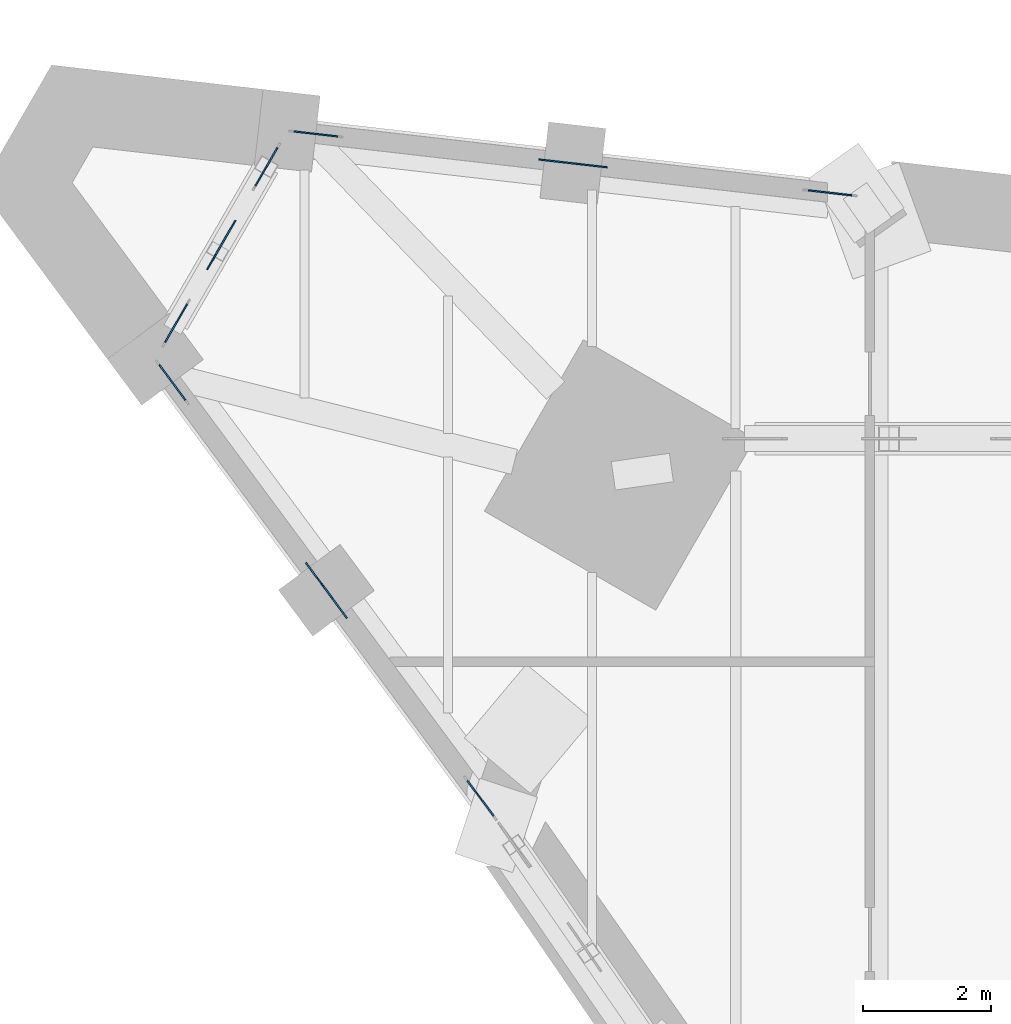
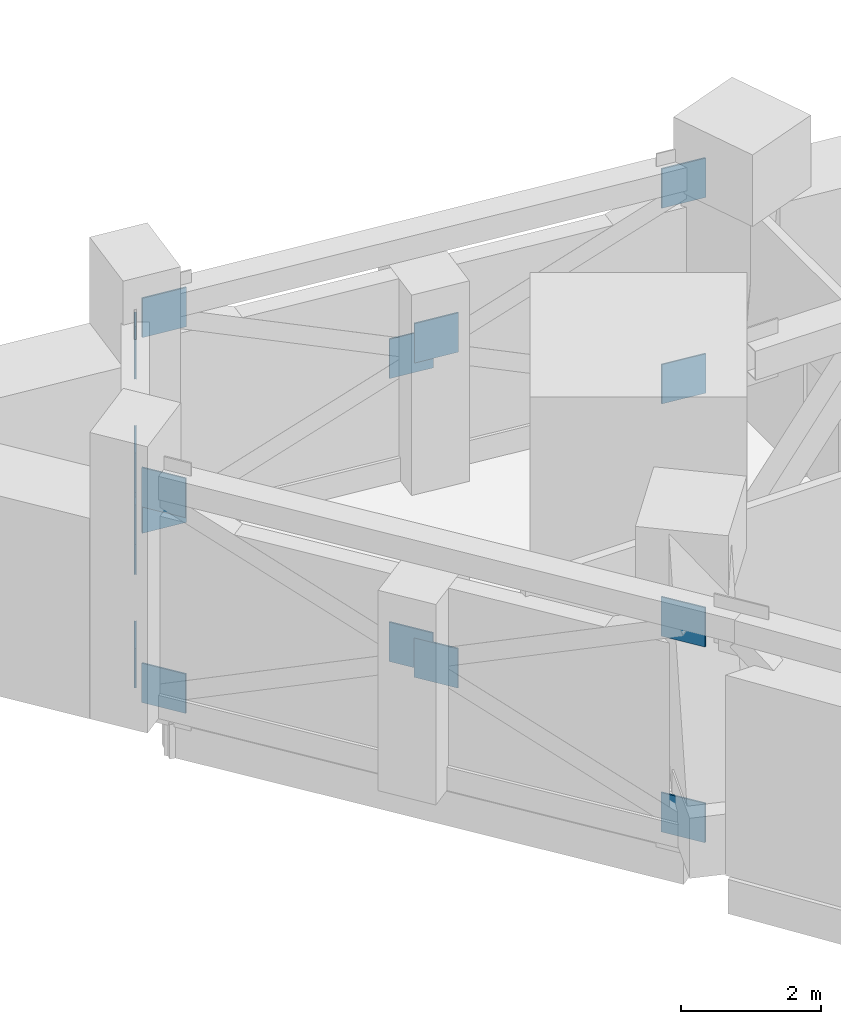
# One storey, part 19 of 22: 18 discrete accessories.
"""IFC4 building model written with IfcOpenShell, lengths in metres."""

from ifc_helpers import new_model, si_unit, direction, frame, origin, origin_2d, place, context, subcontext, project, spatial, rectangle, extrude, material, type_object, element, save


model = new_model("IFC4")

# Units and contexts
model_context = context("Model", 3, precision=1e-05, world=origin(), true_north=direction((0.0, 1.0)))
body_context = subcontext(model_context, "Body", "Model", "MODEL_VIEW")
ifc_project = project(units=[si_unit("LENGTHUNIT", "METRE"), si_unit("AREAUNIT", "SQUARE_METRE"), si_unit("VOLUMEUNIT", "CUBIC_METRE"), si_unit("PLANEANGLEUNIT", "RADIAN"), si_unit("MASSUNIT", "GRAM", prefix="KILO")], contexts=[model_context])

# Site, building, storey
site_placement = place(None, origin())
site = spatial("IfcSite", under=ifc_project, at=site_placement, CompositionType="ELEMENT")
building_placement = place(site_placement, origin())
building = spatial("IfcBuilding", under=site, at=building_placement, Name="Calabash Gate Tower", CompositionType="ELEMENT")
storey_placement = place(building_placement, frame((0.0, 0.0, 86.800048828125)))
storey = spatial("IfcBuildingStorey", under=building, at=storey_placement, Name="L18", CompositionType="ELEMENT", Elevation=86.800048828125)

# Discrete accessories
ifc_material = material(Name="Steel ASTM A572 Gr50", Category="steel")
discrete_accessory_type = type_object("IfcDiscreteAccessoryType", Name="Connection plate 25", PredefinedType="BRACKET", material=ifc_material)
for number, where, z_axis, x_axis, name in (
    (1, (-21.024169921875, 19.4892578125, 0.0625), (0.0, 0.0, 1.0), (-0.993506321721, 0.113776925164, 0.0), "Connection plate Belt diagonal L18 93 start"),
    (2, (-29.07177734375, 20.410888671875, 3.4794921875), (0.0, 0.0, 1.0), (-0.993506321721, 0.113776925164, 0.0), "Connection plate Belt diagonal L18 93 end"),
    (3, (-21.024169921875, 19.4892578125, 3.4794921875), (0.0, 0.0, 1.0), (-0.993506321721, 0.113776925164, 0.0), "Connection plate Belt diagonal (split) L18 94 half 1 of 2 start"),
    (4, (-24.853271484375, 19.927734375, 1.85400390625), (0.0, 0.0, 1.0), (-0.993506321721, 0.113776925164, 0.0), "Connection plate Belt diagonal (split) L18 94 half 1 of 2 end"),
    (5, (-25.24267578125, 19.972412109375, 1.6884765625), (0.0, 0.0, 1.0), (-0.993506321721, 0.113776925164, 0.0), "Connection plate Belt diagonal (split) L18 95 half 2 of 2 start"),
    (6, (-29.07177734375, 20.410888671875, 0.0625), (0.0, 0.0, 1.0), (-0.993506321721, 0.113776925164, 0.0), "Connection plate Belt diagonal (split) L18 95 half 2 of 2 end"),
    (7, (-29.845703125, 19.895751953125, 0.0625), (0.0, 0.0, 1.0), (-0.500000105805, -0.866025342698, 0.0), "Connection plate Belt diagonal L18 98 start"),
    (8, (-31.258056640625, 17.449462890625, 3.4794921875), (0.0, 0.0, 1.0), (-0.500000105805, -0.866025342698, 0.0), "Connection plate Belt diagonal L18 98 end"),
    (9, (-29.845703125, 19.895751953125, 3.4794921875), (0.0, 0.0, 1.0), (-0.500000105805, -0.866025342698, 0.0), "Connection plate Belt diagonal (split) L18 99 half 1 of 2 start"),
    (10, (-30.50244140625, 18.75830078125, 1.890625), (0.0, 0.0, 1.0), (-0.500000105805, -0.866025342698, 0.0), "Connection plate Belt diagonal (split) L18 99 half 1 of 2 end"),
    (11, (-30.601318359375, 18.5869140625, 1.6513671875), (0.0, 0.0, 1.0), (-0.500000105805, -0.866025342698, 0.0), "Connection plate Belt diagonal (split) L18 100 half 2 of 2 start"),
    (12, (-31.258056640625, 17.449462890625, 0.0625), (0.0, 0.0, 1.0), (-0.500000105805, -0.866025342698, 0.0), "Connection plate Belt diagonal (split) L18 100 half 2 of 2 end"),
    (13, (-31.3173828125, 16.521484375, 0.0625), (0.0, 0.0, 1.0), (0.595286910489, -0.80351321968, 0.0), "Connection plate Belt diagonal L18 103 start"),
    (14, (-26.495361328125, 10.012939453125, 3.4794921875), (0.0, 0.0, 1.0), (0.595286910489, -0.80351321968, 0.0), "Connection plate Belt diagonal L18 103 end"),
    (15, (-31.3173828125, 16.521484375, 3.4794921875), (0.0, 0.0, 1.0), (0.595286980609, -0.803513167731, 0.0), "Connection plate Belt diagonal (split) L18 104 half 1 of 2 start"),
    (16, (-29.02294921875, 13.4248046875, 1.85400390625), (0.0, 0.0, 1.0), (0.595286980609, -0.803513167731, 0.0), "Connection plate Belt diagonal (split) L18 104 half 1 of 2 end"),
    (17, (-28.78955078125, 13.109619140625, 1.6884765625), (0.0, 0.0, 1.0), (0.595286980609, -0.803513167731, 0.0), "Connection plate Belt diagonal (split) L18 105 half 2 of 2 start"),
    (18, (-26.495361328125, 10.012939453125, 0.0625), (0.0, 0.0, 1.0), (0.595286980609, -0.803513167731, 0.0), "Connection plate Belt diagonal (split) L18 105 half 2 of 2 end"),
):
    element("IfcDiscreteAccessory", number, at=place(storey_placement, frame(where, z_axis=z_axis, x_axis=x_axis)), inside=storey, type_object=discrete_accessory_type, Name=name, PredefinedType="BRACKET", context=body_context, shape_type="SweptSolid", body=[
        extrude(rectangle(XDim=0.687744140625, YDim=0.02490234375, at=origin_2d()), origin(), (0.0, 0.0, 1.0), 0.687744140625),
    ])

save(model, "model.ifc")
